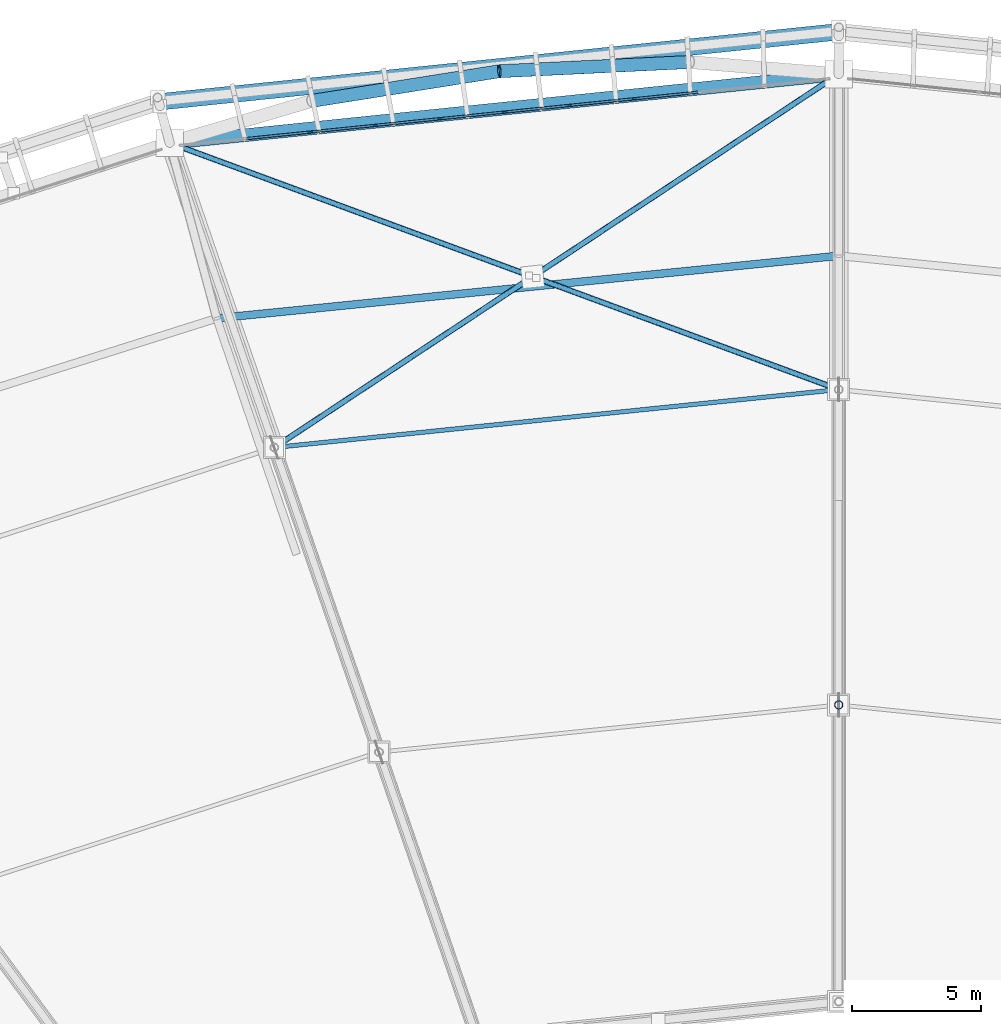
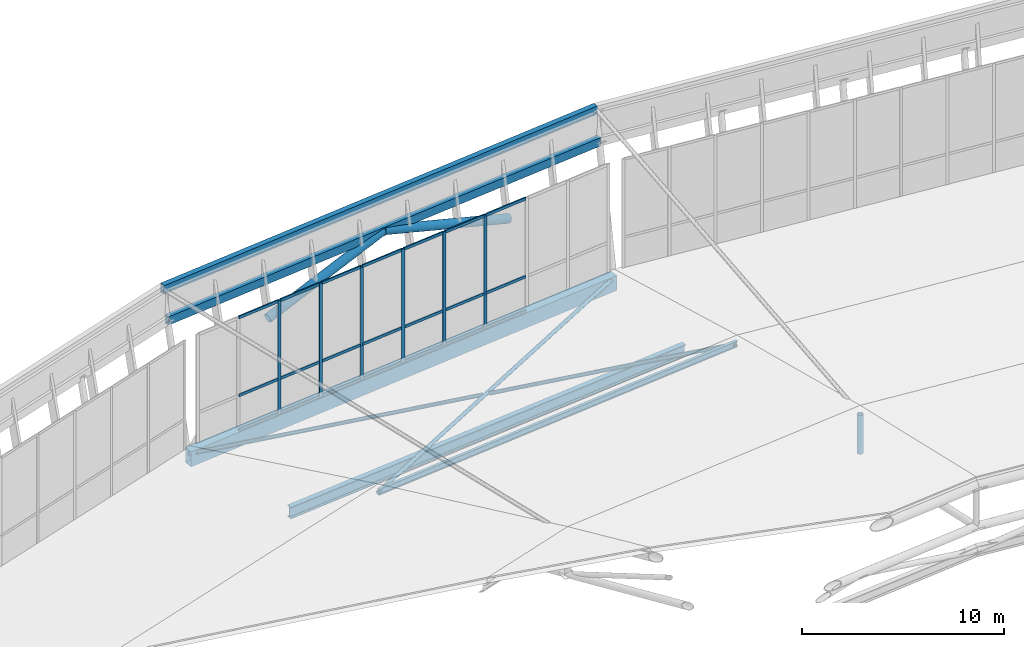
# One storey, part 69 of 115: 34 members, 4 beams, 1 element without a shape of its own.
"""IFC4 building model written with IfcOpenShell, lengths in metres."""

from ifc_helpers import new_model, si_unit, direction, frame, origin, origin_2d, place, context, subcontext, project, spatial, rectangle, hollow_rectangle, hollow_circle, i_section, extrude, material, material_profile, profile_set, type_object, element, aggregate, save


model = new_model("IFC4")

# Units and contexts
model_context = context("Model", 3, precision=1e-05, world=origin(), true_north=direction((0.0, 1.0)))
body_context = subcontext(model_context, "Body", "Model", "MODEL_VIEW")
ifc_project = project(units=[si_unit("LENGTHUNIT", "METRE"), si_unit("AREAUNIT", "SQUARE_METRE"), si_unit("VOLUMEUNIT", "CUBIC_METRE"), si_unit("PLANEANGLEUNIT", "RADIAN"), si_unit("MASSUNIT", "GRAM", prefix="KILO")], contexts=[model_context])

# Site, building, storey
site_placement = place(None, origin())
site = spatial("IfcSite", under=ifc_project, at=site_placement, CompositionType="ELEMENT")
building_placement = place(site_placement, origin())
building = spatial("IfcBuilding", under=site, at=building_placement, Name="Zlatoyarsky Gate Stadium", CompositionType="ELEMENT")
storey_placement = place(building_placement, frame((0.0, 0.0, 31.800048828125)))
storey = spatial("IfcBuildingStorey", under=building, at=storey_placement, Name="RF", CompositionType="ELEMENT", Elevation=31.800048828125)

# Curtain wall, members
ifc_material_1 = material(Name="Thermally broken anodised aluminium curtain wall", Category="aluminium")
curtain_wall_type = type_object("IfcCurtainWallType", Name="MONUMENTAL ARCHED GATE GLAZING UPPER", PredefinedType="USERDEFINED", material=ifc_material_1)
curtain_wall_placement = place(storey_placement, origin())
curtain_wall = element("IfcCurtainWall", 1, at=curtain_wall_placement, inside=storey, type_object=curtain_wall_type, Name="Curtain wall CW-RF-06", ObjectType="ARCHED GATE GLAZING", PredefinedType="USERDEFINED")
ifc_material_2 = material(Name="Anodised aluminium 6063-T6", Category="aluminium")
ifc_material_profile_1 = material_profile(ifc_material_2, rectangle(XDim=0.074951171875, YDim=0.18994140625, at=origin_2d()), Name="ALU 75X190")
ifc_profile_set_1 = profile_set([ifc_material_profile_1], Name="Anodised aluminium 6063-T6")
member_type_1 = type_object("IfcMemberType", Name="ALUMINIUM GATE MULLION 75X190", PredefinedType="MULLION", material=ifc_profile_set_1)
member_1_placement = place(storey_placement, frame((103.0849609375, 157.0751953125, 0.0), z_axis=(0.0, 0.0, 1.0), x_axis=(0.102125168703, -0.994771556649, 0.0)))
member_1 = element("IfcMember", 2, at=member_1_placement, type_object=member_type_1, Name="CW-AG2 mullion 4", PredefinedType="MULLION", context=body_context, shape_type="SweptSolid", body=[
    extrude(rectangle(XDim=0.074951171875, YDim=0.18994140625, at=origin_2d()), origin(), (0.0, 0.0, 1.0), 6.89990234375),
])
member_2_placement = place(storey_placement, frame((100.579345703125, 156.81787109375, 0.0), z_axis=(0.0, 0.0, 1.0), x_axis=(0.102125168703, -0.994771556649, 0.0)))
member_2 = element("IfcMember", 3, at=member_2_placement, type_object=member_type_1, Name="CW-AG2 mullion 5", PredefinedType="MULLION", context=body_context, shape_type="SweptSolid", body=[
    extrude(rectangle(XDim=0.074951171875, YDim=0.18994140625, at=origin_2d()), origin(), (0.0, 0.0, 1.0), 6.89990234375),
])
member_3_placement = place(storey_placement, frame((98.073486328125, 156.560546875, 0.0), z_axis=(0.0, 0.0, 1.0), x_axis=(0.102125168703, -0.994771556649, 0.0)))
member_3 = element("IfcMember", 4, at=member_3_placement, type_object=member_type_1, Name="CW-AG2 mullion 6", PredefinedType="MULLION", context=body_context, shape_type="SweptSolid", body=[
    extrude(rectangle(XDim=0.074951171875, YDim=0.18994140625, at=origin_2d()), origin(), (0.0, 0.0, 1.0), 6.89990234375),
])
member_4_placement = place(storey_placement, frame((95.56787109375, 156.303466796875, 0.0), z_axis=(0.0, 0.0, 1.0), x_axis=(0.102125168703, -0.994771556649, 0.0)))
member_4 = element("IfcMember", 5, at=member_4_placement, type_object=member_type_1, Name="CW-AG2 mullion 7", PredefinedType="MULLION", context=body_context, shape_type="SweptSolid", body=[
    extrude(rectangle(XDim=0.074951171875, YDim=0.18994140625, at=origin_2d()), origin(), (0.0, 0.0, 1.0), 6.89990234375),
])
member_5_placement = place(storey_placement, frame((93.062255859375, 156.046142578125, 0.0), z_axis=(0.0, 0.0, 1.0), x_axis=(0.102125168703, -0.994771556649, 0.0)))
member_5 = element("IfcMember", 6, at=member_5_placement, type_object=member_type_1, Name="CW-AG2 mullion 8", PredefinedType="MULLION", context=body_context, shape_type="SweptSolid", body=[
    extrude(rectangle(XDim=0.074951171875, YDim=0.18994140625, at=origin_2d()), origin(), (0.0, 0.0, 1.0), 6.89990234375),
])
member_6_placement = place(storey_placement, frame((90.556396484375, 155.788818359375, 0.0), z_axis=(0.0, 0.0, 1.0), x_axis=(0.102125168703, -0.994771556649, 0.0)))
member_6 = element("IfcMember", 7, at=member_6_placement, type_object=member_type_1, Name="CW-AG2 mullion 9", PredefinedType="MULLION", context=body_context, shape_type="SweptSolid", body=[
    extrude(rectangle(XDim=0.074951171875, YDim=0.18994140625, at=origin_2d()), origin(), (0.0, 0.0, 1.0), 6.89990234375),
])
ifc_material_profile_2 = material_profile(ifc_material_2, rectangle(XDim=0.074951171875, YDim=0.169921875, at=origin_2d()), Name="ALU 75X170")
ifc_profile_set_2 = profile_set([ifc_material_profile_2], Name="Anodised aluminium 6063-T6")
member_type_2 = type_object("IfcMemberType", Name="ALUMINIUM GATE TRANSOM 75X170", PredefinedType="USERDEFINED", material=ifc_profile_set_2)
member_7_placement = place(storey_placement, frame((105.553466796875, 157.328369140625, 0.037353515625), z_axis=(-0.994774676967, -0.10209477002, 0.0), x_axis=(0.10209477002, -0.994774676967, 0.0)))
member_7 = element("IfcMember", 8, at=member_7_placement, type_object=member_type_2, Name="CW-AG2 transom 3.1", ObjectType="TRANSOM", PredefinedType="USERDEFINED", context=body_context, shape_type="SweptSolid", body=[
    extrude(rectangle(XDim=0.074951171875, YDim=0.169921875, at=origin_2d()), origin(), (0.0, 0.0, 1.0), 2.44384765625),
])
member_8_placement = place(storey_placement, frame((105.553466796875, 157.328369140625, 2.14990234375), z_axis=(-0.994774676967, -0.10209477002, 0.0), x_axis=(0.10209477002, -0.994774676967, 0.0)))
member_8 = element("IfcMember", 9, at=member_8_placement, type_object=member_type_2, Name="CW-AG2 transom 3.2", ObjectType="TRANSOM", PredefinedType="USERDEFINED", context=body_context, shape_type="SweptSolid", body=[
    extrude(rectangle(XDim=0.074951171875, YDim=0.169921875, at=origin_2d()), origin(), (0.0, 0.0, 1.0), 2.44384765625),
])
member_9_placement = place(storey_placement, frame((105.553466796875, 157.328369140625, 6.862548828125), z_axis=(-0.994774676967, -0.10209477002, 0.0), x_axis=(0.10209477002, -0.994774676967, 0.0)))
member_9 = element("IfcMember", 10, at=member_9_placement, type_object=member_type_2, Name="CW-AG2 transom 3.3", ObjectType="TRANSOM", PredefinedType="USERDEFINED", context=body_context, shape_type="SweptSolid", body=[
    extrude(rectangle(XDim=0.074951171875, YDim=0.169921875, at=origin_2d()), origin(), (0.0, 0.0, 1.0), 2.44384765625),
])
member_10_placement = place(storey_placement, frame((103.047607421875, 157.0712890625, 0.037353515625), z_axis=(-0.994773635551, -0.102104916695, 0.0), x_axis=(0.102104916695, -0.994773635551, 0.0)))
member_10 = element("IfcMember", 11, at=member_10_placement, type_object=member_type_2, Name="CW-AG2 transom 4.1", ObjectType="TRANSOM", PredefinedType="USERDEFINED", context=body_context, shape_type="SweptSolid", body=[
    extrude(rectangle(XDim=0.074951171875, YDim=0.169921875, at=origin_2d()), origin(), (0.0, 0.0, 1.0), 2.443603515625),
])
member_11_placement = place(storey_placement, frame((103.047607421875, 157.0712890625, 2.14990234375), z_axis=(-0.994773635551, -0.102104916695, 0.0), x_axis=(0.102104916695, -0.994773635551, 0.0)))
member_11 = element("IfcMember", 12, at=member_11_placement, type_object=member_type_2, Name="CW-AG2 transom 4.2", ObjectType="TRANSOM", PredefinedType="USERDEFINED", context=body_context, shape_type="SweptSolid", body=[
    extrude(rectangle(XDim=0.074951171875, YDim=0.169921875, at=origin_2d()), origin(), (0.0, 0.0, 1.0), 2.443603515625),
])
member_12_placement = place(storey_placement, frame((103.047607421875, 157.0712890625, 6.862548828125), z_axis=(-0.994773635551, -0.102104916695, 0.0), x_axis=(0.102104916695, -0.994773635551, 0.0)))
member_12 = element("IfcMember", 13, at=member_12_placement, type_object=member_type_2, Name="CW-AG2 transom 4.3", ObjectType="TRANSOM", PredefinedType="USERDEFINED", context=body_context, shape_type="SweptSolid", body=[
    extrude(rectangle(XDim=0.074951171875, YDim=0.169921875, at=origin_2d()), origin(), (0.0, 0.0, 1.0), 2.443603515625),
])
member_13_placement = place(storey_placement, frame((100.5419921875, 156.81396484375, 0.037353515625), z_axis=(-0.994774676967, -0.10209477002, 0.0), x_axis=(0.10209477002, -0.994774676967, 0.0)))
member_13 = element("IfcMember", 14, at=member_13_placement, type_object=member_type_2, Name="CW-AG2 transom 5.1", ObjectType="TRANSOM", PredefinedType="USERDEFINED", context=body_context, shape_type="SweptSolid", body=[
    extrude(rectangle(XDim=0.074951171875, YDim=0.169921875, at=origin_2d()), origin(), (0.0, 0.0, 1.0), 2.44384765625),
])
member_14_placement = place(storey_placement, frame((100.5419921875, 156.81396484375, 2.14990234375), z_axis=(-0.994774676967, -0.10209477002, 0.0), x_axis=(0.10209477002, -0.994774676967, 0.0)))
member_14 = element("IfcMember", 15, at=member_14_placement, type_object=member_type_2, Name="CW-AG2 transom 5.2", ObjectType="TRANSOM", PredefinedType="USERDEFINED", context=body_context, shape_type="SweptSolid", body=[
    extrude(rectangle(XDim=0.074951171875, YDim=0.169921875, at=origin_2d()), origin(), (0.0, 0.0, 1.0), 2.44384765625),
])
member_15_placement = place(storey_placement, frame((100.5419921875, 156.81396484375, 6.862548828125), z_axis=(-0.994774676967, -0.10209477002, 0.0), x_axis=(0.10209477002, -0.994774676967, 0.0)))
member_15 = element("IfcMember", 16, at=member_15_placement, type_object=member_type_2, Name="CW-AG2 transom 5.3", ObjectType="TRANSOM", PredefinedType="USERDEFINED", context=body_context, shape_type="SweptSolid", body=[
    extrude(rectangle(XDim=0.074951171875, YDim=0.169921875, at=origin_2d()), origin(), (0.0, 0.0, 1.0), 2.44384765625),
])
member_16_placement = place(storey_placement, frame((98.036376953125, 156.556884765625, 0.037353515625), z_axis=(-0.994764526487, -0.102193624282, 0.0), x_axis=(0.102193624282, -0.994764526487, 0.0)))
member_16 = element("IfcMember", 17, at=member_16_placement, type_object=member_type_2, Name="CW-AG2 transom 6.1", ObjectType="TRANSOM", PredefinedType="USERDEFINED", context=body_context, shape_type="SweptSolid", body=[
    extrude(rectangle(XDim=0.074951171875, YDim=0.169921875, at=origin_2d()), origin(), (0.0, 0.0, 1.0), 2.44384765625),
])
member_17_placement = place(storey_placement, frame((98.036376953125, 156.556884765625, 2.14990234375), z_axis=(-0.994764526487, -0.102193624282, 0.0), x_axis=(0.102193624282, -0.994764526487, 0.0)))
member_17 = element("IfcMember", 18, at=member_17_placement, type_object=member_type_2, Name="CW-AG2 transom 6.2", ObjectType="TRANSOM", PredefinedType="USERDEFINED", context=body_context, shape_type="SweptSolid", body=[
    extrude(rectangle(XDim=0.074951171875, YDim=0.169921875, at=origin_2d()), origin(), (0.0, 0.0, 1.0), 2.44384765625),
])
member_18_placement = place(storey_placement, frame((98.036376953125, 156.556884765625, 6.862548828125), z_axis=(-0.994764526487, -0.102193624282, 0.0), x_axis=(0.102193624282, -0.994764526487, 0.0)))
member_18 = element("IfcMember", 19, at=member_18_placement, type_object=member_type_2, Name="CW-AG2 transom 6.3", ObjectType="TRANSOM", PredefinedType="USERDEFINED", context=body_context, shape_type="SweptSolid", body=[
    extrude(rectangle(XDim=0.074951171875, YDim=0.169921875, at=origin_2d()), origin(), (0.0, 0.0, 1.0), 2.44384765625),
])
member_19_placement = place(storey_placement, frame((95.530517578125, 156.299560546875, 0.037353515625), z_axis=(-0.994773635551, -0.102104916695, 0.0), x_axis=(0.102104916695, -0.994773635551, 0.0)))
member_19 = element("IfcMember", 20, at=member_19_placement, type_object=member_type_2, Name="CW-AG2 transom 7.1", ObjectType="TRANSOM", PredefinedType="USERDEFINED", context=body_context, shape_type="SweptSolid", body=[
    extrude(rectangle(XDim=0.074951171875, YDim=0.169921875, at=origin_2d()), origin(), (0.0, 0.0, 1.0), 2.443603515625),
])
member_20_placement = place(storey_placement, frame((95.530517578125, 156.299560546875, 2.14990234375), z_axis=(-0.994773635551, -0.102104916695, 0.0), x_axis=(0.102104916695, -0.994773635551, 0.0)))
member_20 = element("IfcMember", 21, at=member_20_placement, type_object=member_type_2, Name="CW-AG2 transom 7.2", ObjectType="TRANSOM", PredefinedType="USERDEFINED", context=body_context, shape_type="SweptSolid", body=[
    extrude(rectangle(XDim=0.074951171875, YDim=0.169921875, at=origin_2d()), origin(), (0.0, 0.0, 1.0), 2.443603515625),
])
member_21_placement = place(storey_placement, frame((95.530517578125, 156.299560546875, 6.862548828125), z_axis=(-0.994773635551, -0.102104916695, 0.0), x_axis=(0.102104916695, -0.994773635551, 0.0)))
member_21 = element("IfcMember", 22, at=member_21_placement, type_object=member_type_2, Name="CW-AG2 transom 7.3", ObjectType="TRANSOM", PredefinedType="USERDEFINED", context=body_context, shape_type="SweptSolid", body=[
    extrude(rectangle(XDim=0.074951171875, YDim=0.169921875, at=origin_2d()), origin(), (0.0, 0.0, 1.0), 2.443603515625),
])
member_22_placement = place(storey_placement, frame((93.02490234375, 156.042236328125, 0.037353515625), z_axis=(-0.994774676967, -0.10209477002, 0.0), x_axis=(0.10209477002, -0.994774676967, 0.0)))
member_22 = element("IfcMember", 23, at=member_22_placement, type_object=member_type_2, Name="CW-AG2 transom 8.1", ObjectType="TRANSOM", PredefinedType="USERDEFINED", context=body_context, shape_type="SweptSolid", body=[
    extrude(rectangle(XDim=0.074951171875, YDim=0.169921875, at=origin_2d()), origin(), (0.0, 0.0, 1.0), 2.44384765625),
])
member_23_placement = place(storey_placement, frame((93.02490234375, 156.042236328125, 2.14990234375), z_axis=(-0.994774676967, -0.10209477002, 0.0), x_axis=(0.10209477002, -0.994774676967, 0.0)))
member_23 = element("IfcMember", 24, at=member_23_placement, type_object=member_type_2, Name="CW-AG2 transom 8.2", ObjectType="TRANSOM", PredefinedType="USERDEFINED", context=body_context, shape_type="SweptSolid", body=[
    extrude(rectangle(XDim=0.074951171875, YDim=0.169921875, at=origin_2d()), origin(), (0.0, 0.0, 1.0), 2.44384765625),
])
member_24_placement = place(storey_placement, frame((93.02490234375, 156.042236328125, 6.862548828125), z_axis=(-0.994774676967, -0.10209477002, 0.0), x_axis=(0.10209477002, -0.994774676967, 0.0)))
member_24 = element("IfcMember", 25, at=member_24_placement, type_object=member_type_2, Name="CW-AG2 transom 8.3", ObjectType="TRANSOM", PredefinedType="USERDEFINED", context=body_context, shape_type="SweptSolid", body=[
    extrude(rectangle(XDim=0.074951171875, YDim=0.169921875, at=origin_2d()), origin(), (0.0, 0.0, 1.0), 2.44384765625),
])
member_25_placement = place(storey_placement, frame((90.519287109375, 155.78515625, 0.037353515625), z_axis=(-0.994764526487, -0.102193624282, 0.0), x_axis=(0.102193624282, -0.994764526487, 0.0)))
member_25 = element("IfcMember", 26, at=member_25_placement, type_object=member_type_2, Name="CW-AG2 transom 9.1", ObjectType="TRANSOM", PredefinedType="USERDEFINED", context=body_context, shape_type="SweptSolid", body=[
    extrude(rectangle(XDim=0.074951171875, YDim=0.169921875, at=origin_2d()), origin(), (0.0, 0.0, 1.0), 2.44384765625),
])
member_26_placement = place(storey_placement, frame((90.519287109375, 155.78515625, 2.14990234375), z_axis=(-0.994764526487, -0.102193624282, 0.0), x_axis=(0.102193624282, -0.994764526487, 0.0)))
member_26 = element("IfcMember", 27, at=member_26_placement, type_object=member_type_2, Name="CW-AG2 transom 9.2", ObjectType="TRANSOM", PredefinedType="USERDEFINED", context=body_context, shape_type="SweptSolid", body=[
    extrude(rectangle(XDim=0.074951171875, YDim=0.169921875, at=origin_2d()), origin(), (0.0, 0.0, 1.0), 2.44384765625),
])
member_27_placement = place(storey_placement, frame((90.519287109375, 155.78515625, 6.862548828125), z_axis=(-0.994764526487, -0.102193624282, 0.0), x_axis=(0.102193624282, -0.994764526487, 0.0)))
member_27 = element("IfcMember", 28, at=member_27_placement, type_object=member_type_2, Name="CW-AG2 transom 9.3", ObjectType="TRANSOM", PredefinedType="USERDEFINED", context=body_context, shape_type="SweptSolid", body=[
    extrude(rectangle(XDim=0.074951171875, YDim=0.169921875, at=origin_2d()), origin(), (0.0, 0.0, 1.0), 2.44384765625),
])
aggregate(curtain_wall, [member_1, member_2, member_3, member_4, member_5, member_6, member_7, member_8, member_9, member_10, member_11, member_12, member_13, member_14, member_15, member_16, member_17, member_18, member_19, member_20, member_21, member_22, member_23, member_24, member_25, member_26, member_27])

# Members
ifc_material_3 = material(Name="Steel S355", Category="steel")
ifc_material_profile_3 = material_profile(ifc_material_3, hollow_circle(Radius=0.25390625, WallThickness=0.02490234375, at=origin_2d()), Name="CHS 508X25")
ifc_profile_set_3 = profile_set([ifc_material_profile_3], Name="Steel S355")
member_type_3 = type_object("IfcMemberType", Name="STEEL ARCH TOP CHORD CHS 508X25", PredefinedType="CHORD", material=ifc_profile_set_3)
member_28_placement = place(storey_placement, frame((105.243896484375, 158.496826171875, 5.050048828125), z_axis=(-0.960774332208, -0.046350637825, 0.273430614497), x_axis=(0.048186959519, -0.998838333732, 0.0)))
element("IfcMember", 29, at=member_28_placement, inside=storey, type_object=member_type_3, Name="Monumental gate portal arch chord 06-2", PredefinedType="CHORD", context=body_context, shape_type="SweptSolid", body=[
    extrude(hollow_circle(Radius=0.25390625, WallThickness=0.02490234375, at=origin_2d()), origin(), (0.0, 0.0, 1.0), 7.6796875),
])
member_29_placement = place(storey_placement, frame((97.865478515625, 158.140869140625, 7.14990234375), z_axis=(-0.949808022795, -0.150575432722, -0.274211157494), x_axis=(0.156577110528, -0.98766573721, 0.0)))
element("IfcMember", 30, at=member_29_placement, inside=storey, type_object=member_type_3, Name="Monumental gate portal arch chord 06-3", PredefinedType="CHORD", context=body_context, shape_type="SweptSolid", body=[
    extrude(hollow_circle(Radius=0.25390625, WallThickness=0.02490234375, at=origin_2d()), origin(), (0.0, 0.0, 1.0), 7.65771484375),
])
ifc_material_profile_4 = material_profile(ifc_material_3, hollow_circle(Radius=0.109619140625, WallThickness=0.012451171875, at=origin_2d()), Name="CHS 219.1X12.5")
ifc_profile_set_4 = profile_set([ifc_material_profile_4], Name="Steel S355")
member_type_4 = type_object("IfcMemberType", Name="STEEL CANOPY WIND BRACE CHS 219.1X12.5", PredefinedType="BRACE", material=ifc_profile_set_4)
member_30_placement = place(storey_placement, frame((111.0, 158.027587890625, -0.25), z_axis=(-0.827107531784, -0.547096447128, 0.12875794502), x_axis=(0.551688675115, -0.834050121845, 0.0)))
element("IfcMember", 31, at=member_30_placement, inside=storey, type_object=member_type_4, Name="Roof wind X-brace continuous diagonal 06", PredefinedType="BRACE", context=body_context, shape_type="SweptSolid", body=[
    extrude(hollow_circle(Radius=0.109619140625, WallThickness=0.012451171875, at=origin_2d()), origin(), (0.0, 0.0, 1.0), 26.4052734375),
])
member_31_placement = place(storey_placement, frame((85.11083984375, 155.368896484375, -0.25), z_axis=(0.931218854423, -0.343329319545, 0.12229645746), x_axis=(0.345925972962, 0.938261808468, 0.0)))
element("IfcMember", 32, at=member_31_placement, inside=storey, type_object=member_type_4, Name="Roof wind X-brace split half-diagonal 06A", PredefinedType="BRACE", context=body_context, shape_type="SweptSolid", body=[
    extrude(hollow_circle(Radius=0.109619140625, WallThickness=0.012451171875, at=origin_2d()), origin(), (0.0, 0.0, 1.0), 14.932373046875),
])
member_32_placement = place(storey_placement, frame((99.291015625, 150.14111328125, 1.612060546875), z_axis=(0.931213423385, -0.343341262838, 0.122304281774), x_axis=(0.345938342644, 0.938257247821, 0.0)))
element("IfcMember", 33, at=member_32_placement, inside=storey, type_object=member_type_4, Name="Roof wind X-brace split half-diagonal 06B", PredefinedType="BRACE", context=body_context, shape_type="SweptSolid", body=[
    extrude(hollow_circle(Radius=0.109619140625, WallThickness=0.012451171875, at=origin_2d()), origin(), (0.0, 0.0, 1.0), 12.573974609375),
])
ifc_material_profile_5 = material_profile(ifc_material_3, i_section(OverallWidth=0.169921875, OverallDepth=0.360107421875, WebThickness=0.008056640625, FlangeThickness=0.0126953125, FilletRadius=0.01806640625, at=origin_2d()), Name="IPE 360")
ifc_profile_set_5 = profile_set([ifc_material_profile_5], Name="Steel S355")
member_type_5 = type_object("IfcMemberType", Name="STEEL LONG SPAN PURLIN IPE 360", PredefinedType="PURLIN", material=ifc_profile_set_5)
member_33_placement = place(storey_placement, frame((111.0, 145.823974609375, 3.179931640625), z_axis=(-0.994769103035, -0.102149065814, 0.0), x_axis=(0.102149065814, -0.994769103035, 0.0)))
element("IfcMember", 34, at=member_33_placement, inside=storey, type_object=member_type_5, Name="Stadium roof purlin 06.1", PredefinedType="PURLIN", context=body_context, shape_type="SweptSolid", body=[
    extrude(i_section(OverallWidth=0.169921875, OverallDepth=0.360107421875, WebThickness=0.008056640625, FlangeThickness=0.0126953125, FilletRadius=0.01806640625, at=origin_2d()), origin(), (0.0, 0.0, 1.0), 21.954833984375),
])

# Beams
ifc_material_profile_6 = material_profile(ifc_material_3, hollow_rectangle(XDim=0.300048828125, YDim=0.5, WallThickness=0.02001953125, at=origin_2d()), Name="RHS 500X300X20")
ifc_profile_set_6 = profile_set([ifc_material_profile_6], Name="Steel S355")
beam_type_1 = type_object("IfcBeamType", Name="STEEL LOUVRE CARRIER SPANDREL RHS 500X300X20", PredefinedType="SPANDREL", material=ifc_profile_set_6)
beam_1_placement = place(storey_placement, frame((111.0, 159.495361328125, 7.14990234375), z_axis=(-0.994725543927, -0.102572375716, 0.0), x_axis=(0.102572375716, -0.994725543927, 0.0)))
element("IfcBeam", 35, at=beam_1_placement, inside=storey, type_object=beam_type_1, Name="Crown eaves fascia bottom carrier spandrel 06", PredefinedType="SPANDREL", context=body_context, shape_type="SweptSolid", body=[
    extrude(hollow_rectangle(XDim=0.300048828125, YDim=0.5, WallThickness=0.02001953125, at=origin_2d()), origin(), (0.0, 0.0, 1.0), 26.408203125),
])
beam_2_placement = place(storey_placement, frame((111.0, 159.84423828125, 8.849853515625), z_axis=(-0.994715342527, -0.102671258599, 0.0), x_axis=(0.102671258599, -0.994715342527, 0.0)))
element("IfcBeam", 36, at=beam_2_placement, inside=storey, type_object=beam_type_1, Name="Crown fascia top carrier spandrel 06", PredefinedType="SPANDREL", context=body_context, shape_type="SweptSolid", body=[
    extrude(hollow_rectangle(XDim=0.300048828125, YDim=0.5, WallThickness=0.02001953125, at=origin_2d()), origin(), (0.0, 0.0, 1.0), 26.499267578125),
])
ifc_material_profile_7 = material_profile(ifc_material_3, hollow_rectangle(XDim=0.5, YDim=0.89990234375, WallThickness=0.028076171875, at=origin_2d()), Name="RHS 900X500X28")
ifc_profile_set_7 = profile_set([ifc_material_profile_7], Name="Steel S355")
beam_type_2 = type_object("IfcBeamType", Name="STEEL OUTER COMPRESSION RING BEAM RHS 900X500X28", PredefinedType="USERDEFINED", material=ifc_profile_set_7)
beam_3_placement = place(storey_placement, frame((111.0, 158.027587890625, -0.449951171875), z_axis=(-0.994768198126, -0.102157877799, 0.0), x_axis=(0.102157877799, -0.994768198126, 0.0)))
element("IfcBeam", 37, at=beam_3_placement, inside=storey, type_object=beam_type_2, Name="Outer compression ring beam 06", ObjectType="RING BEAM", PredefinedType="USERDEFINED", context=body_context, shape_type="SweptSolid", body=[
    extrude(hollow_rectangle(XDim=0.5, YDim=0.89990234375, WallThickness=0.028076171875, at=origin_2d()), origin(), (0.0, 0.0, 1.0), 26.025390625),
])
ifc_material_profile_8 = material_profile(ifc_material_3, i_section(OverallWidth=0.300048828125, OverallDepth=0.699951171875, WebThickness=0.01708984375, FlangeThickness=0.031982421875, FilletRadius=0.027099609375, at=origin_2d()), Name="HEB 700")
ifc_profile_set_8 = profile_set([ifc_material_profile_8], Name="Steel S355")
beam_type_3 = type_object("IfcBeamType", Name="STEEL ROOF RING GIRDER HEB 700", PredefinedType="BEAM", material=ifc_profile_set_8)
beam_4_placement = place(storey_placement, frame((110.960205078125, 150.99609375, -0.300048828125), z_axis=(-0.994986534974, -0.100008975698, 0.0), x_axis=(0.100008975698, -0.994986534974, 0.0)))
element("IfcBeam", 38, at=beam_4_placement, inside=storey, type_object=beam_type_3, Name="RF roof tie girder BM-RF-CRC-06", PredefinedType="BEAM", context=body_context, shape_type="SweptSolid", body=[
    extrude(i_section(OverallWidth=0.300048828125, OverallDepth=0.699951171875, WebThickness=0.01708984375, FlangeThickness=0.031982421875, FilletRadius=0.027099609375, at=origin_2d()), origin(), (0.0, 0.0, 1.0), 24.111572265625),
])

# Member
ifc_material_profile_9 = material_profile(ifc_material_3, hollow_circle(Radius=0.161865234375, WallThickness=0.01611328125, at=origin_2d()), Name="CHS 323.9X16")
ifc_profile_set_9 = profile_set([ifc_material_profile_9], Name="Steel S355")
member_type_6 = type_object("IfcMemberType", Name="STEEL TRUSS WEB STRUT CHS 323.9X16", PredefinedType="STRUT", material=ifc_profile_set_9)
member_34_placement = place(storey_placement, frame((111.0, 133.62060546875, 3.949951171875), z_axis=(0.0, 0.0, 1.0), x_axis=(1.0, 0.0, 0.0)))
element("IfcMember", 39, at=member_34_placement, inside=storey, type_object=member_type_6, Name="Radial truss R07 web strut 2", PredefinedType="STRUT", context=body_context, shape_type="SweptSolid", body=[
    extrude(hollow_circle(Radius=0.161865234375, WallThickness=0.01611328125, at=origin_2d()), origin(), (0.0, 0.0, 1.0), 2.35009765625),
])

save(model, "model.ifc")
